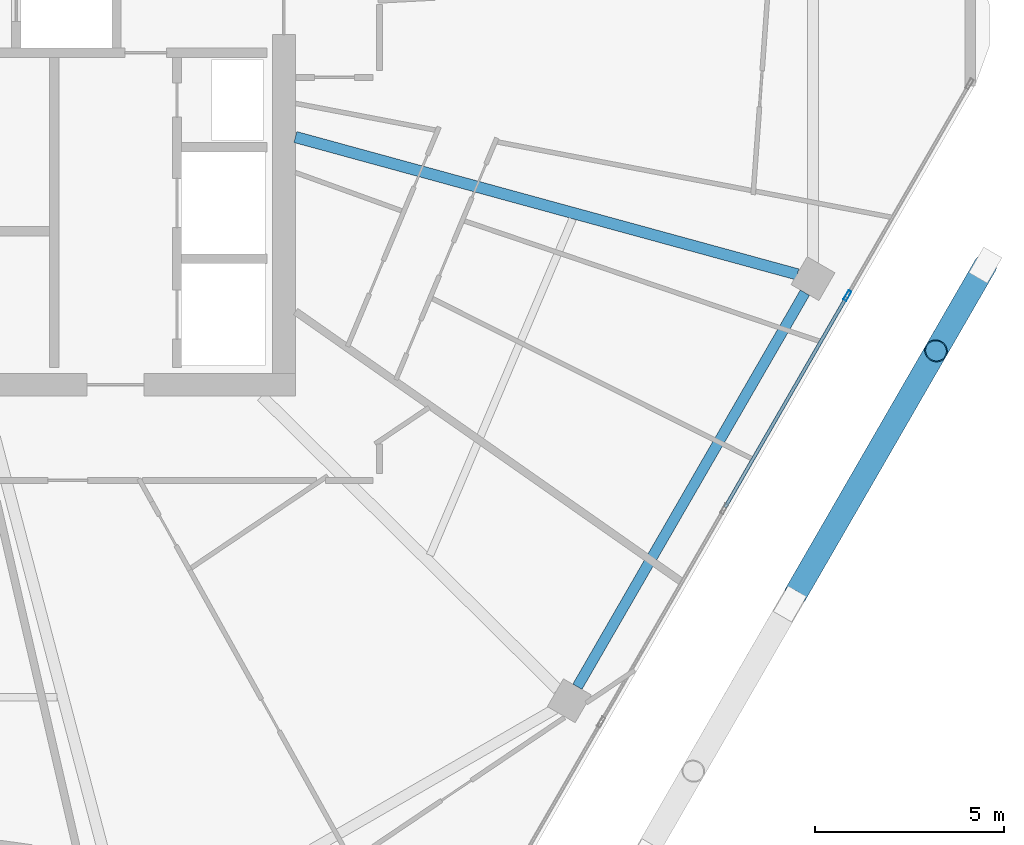
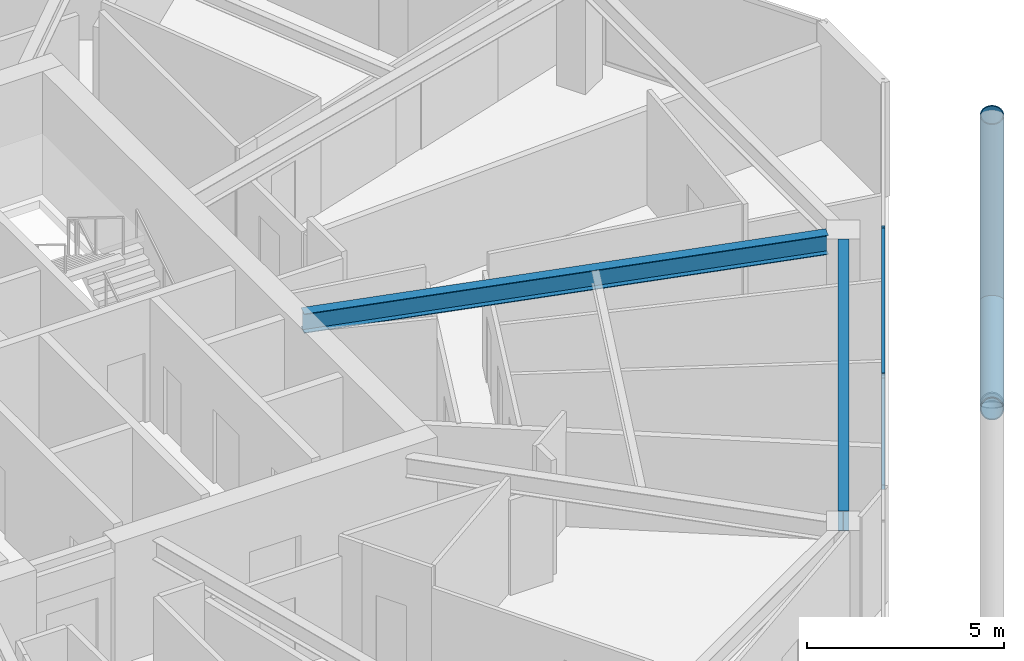
# One storey, part 10 of 27: 5 members, 2 beams, 1 element without a shape of its own.
"""IFC4 building model written with IfcOpenShell, lengths in metres."""

from ifc_helpers import new_model, si_unit, direction, frame, origin, origin_2d, place, context, subcontext, project, spatial, hollow_rectangle, hollow_circle, i_section, extrude, material, material_profile, profile_set, type_object, element, aggregate, save


model = new_model("IFC4")

# Units and contexts
model_context = context("Model", 3, precision=1e-05, world=origin(), true_north=direction((0.0, 1.0)))
body_context = subcontext(model_context, "Body", "Model", "MODEL_VIEW")
ifc_project = project(units=[si_unit("LENGTHUNIT", "METRE"), si_unit("AREAUNIT", "SQUARE_METRE"), si_unit("VOLUMEUNIT", "CUBIC_METRE"), si_unit("PLANEANGLEUNIT", "RADIAN"), si_unit("MASSUNIT", "GRAM", prefix="KILO")], contexts=[model_context])

# Site, building, storey
site_placement = place(None, origin())
site = spatial("IfcSite", under=ifc_project, at=site_placement, CompositionType="ELEMENT")
building_placement = place(site_placement, origin())
building = spatial("IfcBuilding", under=site, at=building_placement, Name="Zuhravey Tower", CompositionType="ELEMENT")
storey_placement = place(building_placement, frame((0.0, 0.0, 276.800048828125)))
storey = spatial("IfcBuildingStorey", under=building, at=storey_placement, Name="L70", CompositionType="ELEMENT", Elevation=276.800048828125)

# Curtain wall, members
ifc_material_1 = material(Name="Thermally broken anodised aluminium", Category="aluminium")
curtain_wall_type = type_object("IfcCurtainWallType", Name="Zone 3-4 High-Rise Curtain Wall CW4", PredefinedType="NOTDEFINED", material=ifc_material_1)
curtain_wall_placement = place(storey_placement, origin())
curtain_wall = element("IfcCurtainWall", 1, at=curtain_wall_placement, inside=storey, type_object=curtain_wall_type, Name="L70 CW4 CW-L70-F6-1", PredefinedType="NOTDEFINED")
ifc_material_2 = material(Name="Anodised aluminium", Category="aluminium")
ifc_material_profile_1 = material_profile(ifc_material_2, hollow_rectangle(XDim=0.090087890625, YDim=0.284912109375, WallThickness=0.0048828125, at=origin_2d()), Name="ALU-RHS-90x285x5")
ifc_profile_set_1 = profile_set([ifc_material_profile_1], Name="Anodised aluminium")
member_type_1 = type_object("IfcMemberType", Name="Curtain-Wall Mullion 90x180", PredefinedType="MULLION", material=ifc_profile_set_1)
member_1_placement = place(storey_placement, frame((61.391845703125, 24.852783203125, 0.0), z_axis=(0.0, 0.0, 1.0), x_axis=(0.866024851021, -0.500000957414, 0.0)))
member_1 = element("IfcMember", 2, at=member_1_placement, type_object=member_type_1, Name="CW4 mullion 2", PredefinedType="MULLION", context=body_context, shape_type="SweptSolid", body=[
    extrude(hollow_rectangle(XDim=0.090087890625, YDim=0.284912109375, WallThickness=0.0048828125, at=origin_2d()), origin(), (0.0, 0.0, 1.0), 3.550048828125),
])
ifc_material_profile_2 = material_profile(ifc_material_2, hollow_rectangle(XDim=0.090087890625, YDim=0.14990234375, WallThickness=0.0048828125, at=origin_2d()), Name="ALU-RHS-90x150x5")
ifc_profile_set_2 = profile_set([ifc_material_profile_2], Name="Anodised aluminium")
member_type_2 = type_object("IfcMemberType", Name="Curtain-Wall Transom 90x150", PredefinedType="USERDEFINED", material=ifc_profile_set_2)
member_2_placement = place(storey_placement, frame((61.369384765625, 24.81396484375, 0.044921875), z_axis=(-0.499998017366, -0.866026548456, 0.0), x_axis=(0.866026548456, -0.499998017366, 0.0)))
member_2 = element("IfcMember", 3, at=member_2_placement, type_object=member_type_2, Name="CW4 transom 2.1", ObjectType="TRANSOM", PredefinedType="USERDEFINED", context=body_context, shape_type="SweptSolid", body=[
    extrude(hollow_rectangle(XDim=0.090087890625, YDim=0.14990234375, WallThickness=0.0048828125, at=origin_2d()), origin(), (0.0, 0.0, 1.0), 6.41650390625),
])
member_3_placement = place(storey_placement, frame((61.369384765625, 24.81396484375, 3.5048828125), z_axis=(-0.499998017366, -0.866026548456, 0.0), x_axis=(0.866026548456, -0.499998017366, 0.0)))
member_3 = element("IfcMember", 4, at=member_3_placement, type_object=member_type_2, Name="CW4 transom 2.2", ObjectType="TRANSOM", PredefinedType="USERDEFINED", context=body_context, shape_type="SweptSolid", body=[
    extrude(hollow_rectangle(XDim=0.090087890625, YDim=0.14990234375, WallThickness=0.0048828125, at=origin_2d()), origin(), (0.0, 0.0, 1.0), 6.41650390625),
])
aggregate(curtain_wall, [member_1, member_2, member_3])

# Members
ifc_material_3 = material(Name="Steel SM355", Category="steel")
ifc_material_profile_3 = material_profile(ifc_material_3, hollow_circle(Radius=0.3046875, WallThickness=0.028076171875, at=origin_2d()), Name="CHS-609.6x28")
ifc_profile_set_3 = profile_set([ifc_material_profile_3], Name="Steel SM355")
member_type_3 = type_object("IfcMemberType", Name="Exoskeleton Zone 3 Diagrid CHS610x28", PredefinedType="BRACE", material=ifc_profile_set_3)
member_4_placement = place(storey_placement, frame((65.040283203125, 25.652099609375, -0.446044921875), z_axis=(-0.163030622365, -0.282366718953, 0.945351813982), x_axis=(0.866017274468, -0.500014080125, 0.0)))
element("IfcMember", 5, at=member_4_placement, inside=storey, type_object=member_type_3, Name="L70 Face 6 Diagrid Brace 4", PredefinedType="BRACE", context=body_context, shape_type="SweptSolid", body=[
    extrude(hollow_circle(Radius=0.3046875, WallThickness=0.028076171875, at=origin_2d()), origin(), (0.0, 0.0, 1.0), 8.001220703125),
])
member_5_placement = place(storey_placement, frame((65.024169921875, 25.624267578125, -0.449951171875), z_axis=(-0.469318707533, -0.812860915854, 0.344959537101), x_axis=(0.866019296191, -0.500010578514, 0.0)))
element("IfcMember", 6, at=member_5_placement, inside=storey, type_object=member_type_3, Name="L70 Face 6 Split Diagrid Brace 3A", PredefinedType="BRACE", context=body_context, shape_type="SweptSolid", body=[
    extrude(hollow_circle(Radius=0.3046875, WallThickness=0.028076171875, at=origin_2d()), origin(), (0.0, 0.0, 1.0), 10.6796875),
])

# Beams
ifc_material_profile_4 = material_profile(ifc_material_3, i_section(OverallWidth=0.280029296875, OverallDepth=0.6201171875, WebThickness=0.011962890625, FlangeThickness=0.02001953125, at=origin_2d()), Name="H-620x280x12x20")
ifc_profile_set_4 = profile_set([ifc_material_profile_4], Name="Steel SM355")
beam_type_1 = type_object("IfcBeamType", Name="Perimeter Ring Beam H620x280", PredefinedType="BEAM", material=ifc_profile_set_4)
beam_1_placement = place(storey_placement, frame((54.257568359375, 14.515869140625, 3.239990234375), z_axis=(0.500005971936, 0.866021955858, 0.0), x_axis=(-0.866021955858, 0.500005971936, 0.0)))
element("IfcBeam", 7, at=beam_1_placement, inside=storey, type_object=beam_type_1, Name="L70 PB3 BM-L70-PB-11", PredefinedType="BEAM", context=body_context, shape_type="SweptSolid", body=[
    extrude(i_section(OverallWidth=0.280029296875, OverallDepth=0.6201171875, WebThickness=0.011962890625, FlangeThickness=0.02001953125, at=origin_2d()), origin(), (0.0, 0.0, 1.0), 12.025634765625),
])
ifc_material_profile_5 = material_profile(ifc_material_3, i_section(OverallWidth=0.300048828125, OverallDepth=0.60009765625, WebThickness=0.011962890625, FlangeThickness=0.02001953125, at=origin_2d()), Name="H-600x300x12x20")
ifc_profile_set_5 = profile_set([ifc_material_profile_5], Name="Steel SM355")
beam_type_2 = type_object("IfcBeamType", Name="Radial Primary Girder H600x300", PredefinedType="BEAM", material=ifc_profile_set_5)
beam_2_placement = place(storey_placement, frame((46.802978515625, 29.04443359375, 3.25), z_axis=(0.964549305009, -0.263902705947, 0.0), x_axis=(0.263902705947, 0.964549305009, 0.0)))
element("IfcBeam", 8, at=beam_2_placement, inside=storey, type_object=beam_type_2, Name="L70 RG3 BM-L70-RAD-12", PredefinedType="BEAM", context=body_context, shape_type="SweptSolid", body=[
    extrude(i_section(OverallWidth=0.300048828125, OverallDepth=0.60009765625, WebThickness=0.011962890625, FlangeThickness=0.02001953125, at=origin_2d()), origin(), (0.0, 0.0, 1.0), 13.756591796875),
])

save(model, "model.ifc")
